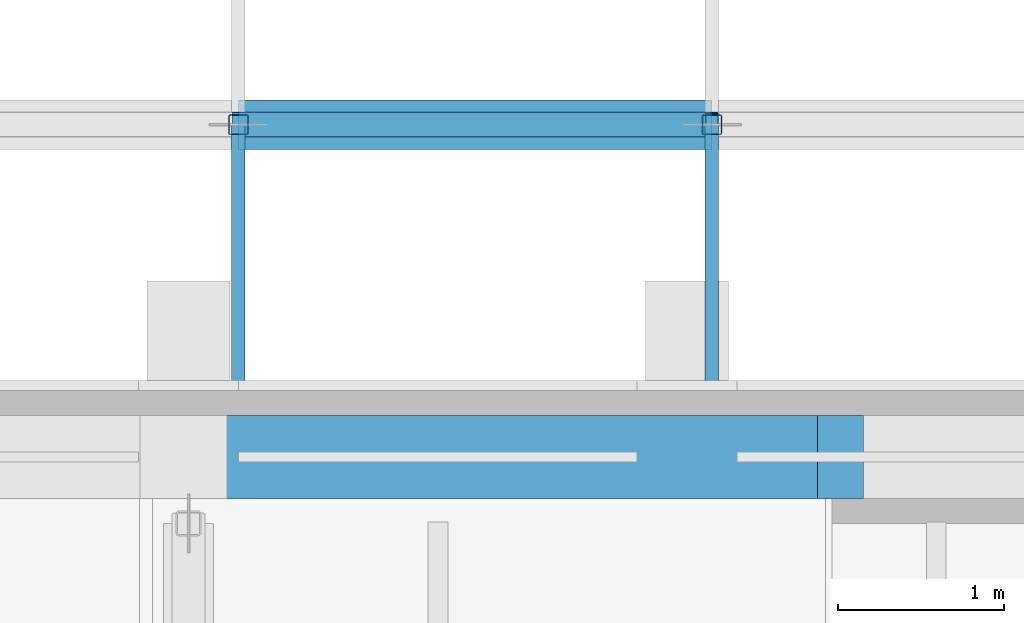
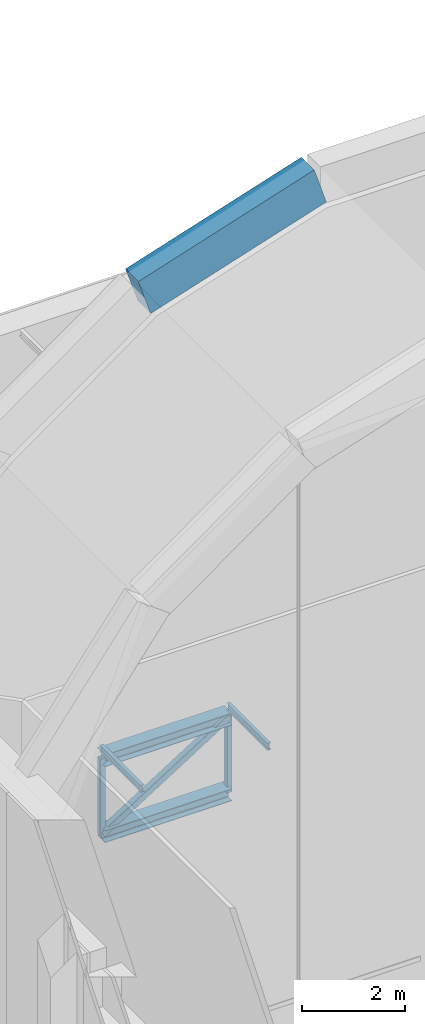
# One storey, part 33 of 55: 7 members, 1 beam.
"""IFC4 building model written with IfcOpenShell, lengths in metres."""

from ifc_helpers import new_model, si_unit, direction, frame, origin, origin_2d, place, context, subcontext, project, spatial, rectangle, hollow_rectangle, i_section, extrude, material, material_profile, profile_set, type_object, element, save


model = new_model("IFC4")

# Units and contexts
model_context = context("Model", 3, precision=1e-05, world=origin(), true_north=direction((0.0, 1.0)))
body_context = subcontext(model_context, "Body", "Model", "MODEL_VIEW")
ifc_project = project(units=[si_unit("LENGTHUNIT", "METRE"), si_unit("AREAUNIT", "SQUARE_METRE"), si_unit("VOLUMEUNIT", "CUBIC_METRE"), si_unit("PLANEANGLEUNIT", "RADIAN"), si_unit("MASSUNIT", "GRAM", prefix="KILO")], contexts=[model_context])

# Site, building, storey
site_placement = place(None, origin())
site = spatial("IfcSite", under=ifc_project, at=site_placement, CompositionType="ELEMENT")
building_placement = place(site_placement, origin())
building = spatial("IfcBuilding", under=site, at=building_placement, Name="Lunette Opera House", CompositionType="ELEMENT")
storey_placement = place(building_placement, frame((0.0, 0.0, 34.0)))
storey = spatial("IfcBuildingStorey", under=building, at=storey_placement, Name="L06", CompositionType="ELEMENT", Elevation=34.0)

# Beam
ifc_material_1 = material(Name="Concrete C40/50", Category="concrete")
ifc_material_profile_1 = material_profile(ifc_material_1, rectangle(XDim=0.5, YDim=0.89990234375, at=origin_2d()), Name="ARCH BEAM 500X900")
ifc_profile_set_1 = profile_set([ifc_material_profile_1], Name="Concrete C40/50")
beam_type = type_object("IfcBeamType", Name="ARCH BEAM 500X900", PredefinedType="BEAM", material=ifc_profile_set_1)
beam_placement = place(storey_placement, frame((89.968994140625, 120.39990234375, 17.98193359375), z_axis=(0.952116578893, 0.0, 0.305735212556), x_axis=(0.0, 1.0, 0.0)))
element("IfcBeam", 1, at=beam_placement, inside=storey, type_object=beam_type, Name="beam-ST-L06-EAT5-3", PredefinedType="BEAM", context=body_context, shape_type="SweptSolid", body=[
    extrude(rectangle(XDim=0.5, YDim=0.89990234375, at=origin_2d()), origin(), (0.0, 0.0, 1.0), 4.154052734375),
])

# Members
ifc_material_2 = material(Name="Steel S355", Category="steel")
ifc_material_profile_2 = material_profile(ifc_material_2, i_section(OverallWidth=0.300048828125, OverallDepth=0.2900390625, WebThickness=0.008544921875, FlangeThickness=0.013916015625, FilletRadius=0.027099609375, at=origin_2d()), Name="HEA 300")
ifc_profile_set_2 = profile_set([ifc_material_profile_2], Name="Steel S355")
member_type_1 = type_object("IfcMemberType", Name="CHORD HEA 300", PredefinedType="CHORD", material=ifc_profile_set_2)
for number, where, z_axis, x_axis, name in (
    (2, (90.300048828125, 122.39990234375, 5.574951171875), (1.0, 0.0, 0.0), (0.0, 1.0, 0.0), "mem-ST-L06-SR-TR01-TC3"),
    (3, (90.300048828125, 122.39990234375, 3.77490234375), (1.0, 0.0, 0.0), (0.0, 1.0, 0.0), "mem-ST-L06-SR-TR01-BC3"),
):
    element("IfcMember", number, at=place(storey_placement, frame(where, z_axis=z_axis, x_axis=x_axis)), inside=storey, type_object=member_type_1, Name=name, PredefinedType="CHORD", context=body_context, shape_type="SweptSolid", body=[
        extrude(i_section(OverallWidth=0.300048828125, OverallDepth=0.2900390625, WebThickness=0.008544921875, FlangeThickness=0.013916015625, FilletRadius=0.027099609375, at=origin_2d()), origin(), (0.0, 0.0, 1.0), 2.849853515625),
    ])
ifc_material_3 = material(Name="Steel S355", Category="steel")
ifc_material_profile_3 = material_profile(ifc_material_3, hollow_rectangle(XDim=0.14990234375, YDim=0.14990234375, WallThickness=0.006103515625, InnerFilletRadius=0.006103515625, OuterFilletRadius=0.011962890625, at=origin_2d()), Name="RHS 150X150X6")
ifc_profile_set_3 = profile_set([ifc_material_profile_3], Name="Steel S355")
member_type_2 = type_object("IfcMemberType", Name="DIAGONAL RHS 150X150X6", PredefinedType="BRACE", material=ifc_profile_set_3)
member_placement = place(storey_placement, frame((90.300048828125, 122.39990234375, 3.77490234375), z_axis=(0.845469970423, 0.0, 0.53402296684), x_axis=(0.0, 1.0, 0.0)))
element("IfcMember", 4, at=member_placement, inside=storey, type_object=member_type_2, Name="mem-ST-L06-SR-TR01-TD3", PredefinedType="BRACE", context=body_context, shape_type="SweptSolid", body=[
    extrude(hollow_rectangle(XDim=0.14990234375, YDim=0.14990234375, WallThickness=0.006103515625, InnerFilletRadius=0.006103515625, OuterFilletRadius=0.011962890625, at=origin_2d()), origin(), (0.0, 0.0, 1.0), 3.370849609375),
])
ifc_material_4 = material(Name="Steel S355", Category="steel")
ifc_material_profile_4 = material_profile(ifc_material_4, i_section(OverallWidth=0.08203125, OverallDepth=0.159912109375, WebThickness=0.0048828125, FlangeThickness=0.00732421875, FilletRadius=0.009033203125, at=origin_2d()), Name="IPE 160")
ifc_profile_set_4 = profile_set([ifc_material_profile_4], Name="Steel S355")
member_type_3 = type_object("IfcMemberType", Name="PURLIN IPE 160", PredefinedType="PURLIN", material=ifc_profile_set_4)
for number, where, z_axis, x_axis, name in (
    (5, (90.300048828125, 120.800048828125, 5.800048828125), (0.0, 1.0, 0.0), (-1.0, 0.0, 0.0), "mem-ST-L06-SR-TR-PU3-1"),
    (6, (93.14990234375, 120.800048828125, 5.800048828125), (0.0, 1.0, 0.0), (-1.0, 0.0, 0.0), "mem-ST-L06-SR-TR-PU4-1"),
):
    element("IfcMember", number, at=place(storey_placement, frame(where, z_axis=z_axis, x_axis=x_axis)), inside=storey, type_object=member_type_3, Name=name, PredefinedType="PURLIN", context=body_context, shape_type="SweptSolid", body=[
        extrude(i_section(OverallWidth=0.08203125, OverallDepth=0.159912109375, WebThickness=0.0048828125, FlangeThickness=0.00732421875, FilletRadius=0.009033203125, at=origin_2d()), origin(), (0.0, 0.0, 1.0), 1.599853515625),
    ])
ifc_material_5 = material(Name="Steel S355", Category="steel")
ifc_material_profile_5 = material_profile(ifc_material_5, hollow_rectangle(XDim=0.1201171875, YDim=0.1201171875, WallThickness=0.0048828125, InnerFilletRadius=0.0048828125, OuterFilletRadius=0.010009765625, at=origin_2d()), Name="RHS 120X120X5")
ifc_profile_set_5 = profile_set([ifc_material_profile_5], Name="Steel S355")
member_type_4 = type_object("IfcMemberType", Name="VERTICAL RHS 120X120X5", PredefinedType="POST", material=ifc_profile_set_5)
for number, where, z_axis, x_axis, name in (
    (7, (90.300048828125, 122.39990234375, 3.77490234375), (0.0, 0.0, 1.0), (1.0, 0.0, 0.0), "mem-ST-L06-SR-TR01-TV3"),
    (8, (93.14990234375, 122.39990234375, 3.77490234375), (0.0, 0.0, 1.0), (1.0, 0.0, 0.0), "mem-ST-L06-SR-TR01-TV4"),
):
    element("IfcMember", number, at=place(storey_placement, frame(where, z_axis=z_axis, x_axis=x_axis)), inside=storey, type_object=member_type_4, Name=name, PredefinedType="POST", context=body_context, shape_type="SweptSolid", body=[
        extrude(hollow_rectangle(XDim=0.1201171875, YDim=0.1201171875, WallThickness=0.0048828125, InnerFilletRadius=0.0048828125, OuterFilletRadius=0.010009765625, at=origin_2d()), origin(), (0.0, 0.0, 1.0), 1.800048828125),
    ])

save(model, "model.ifc")
